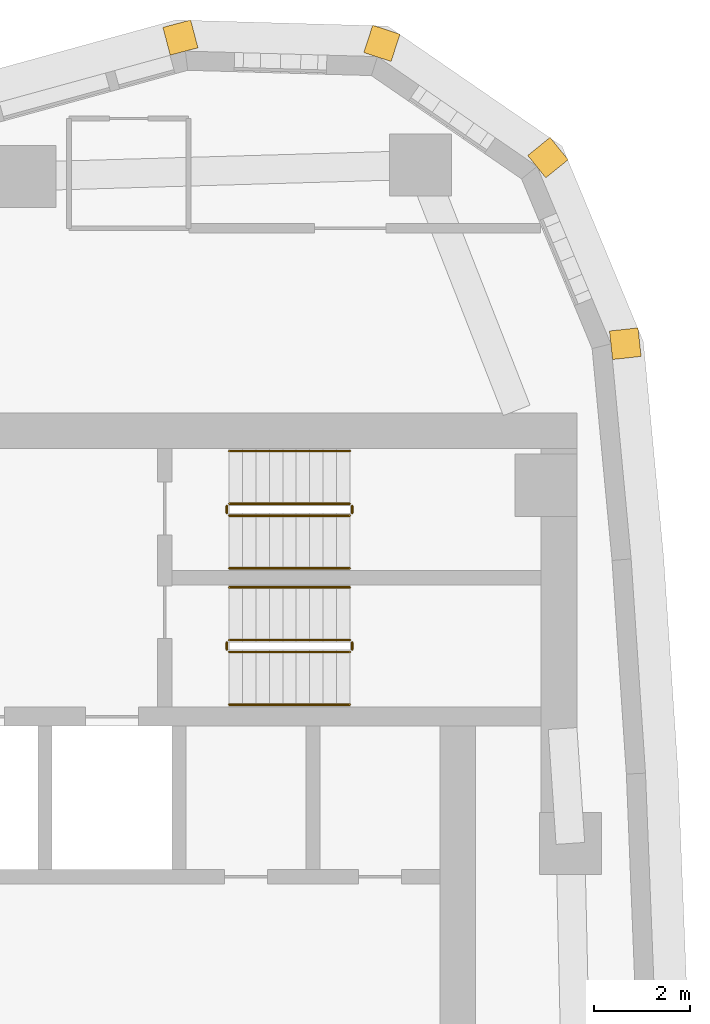
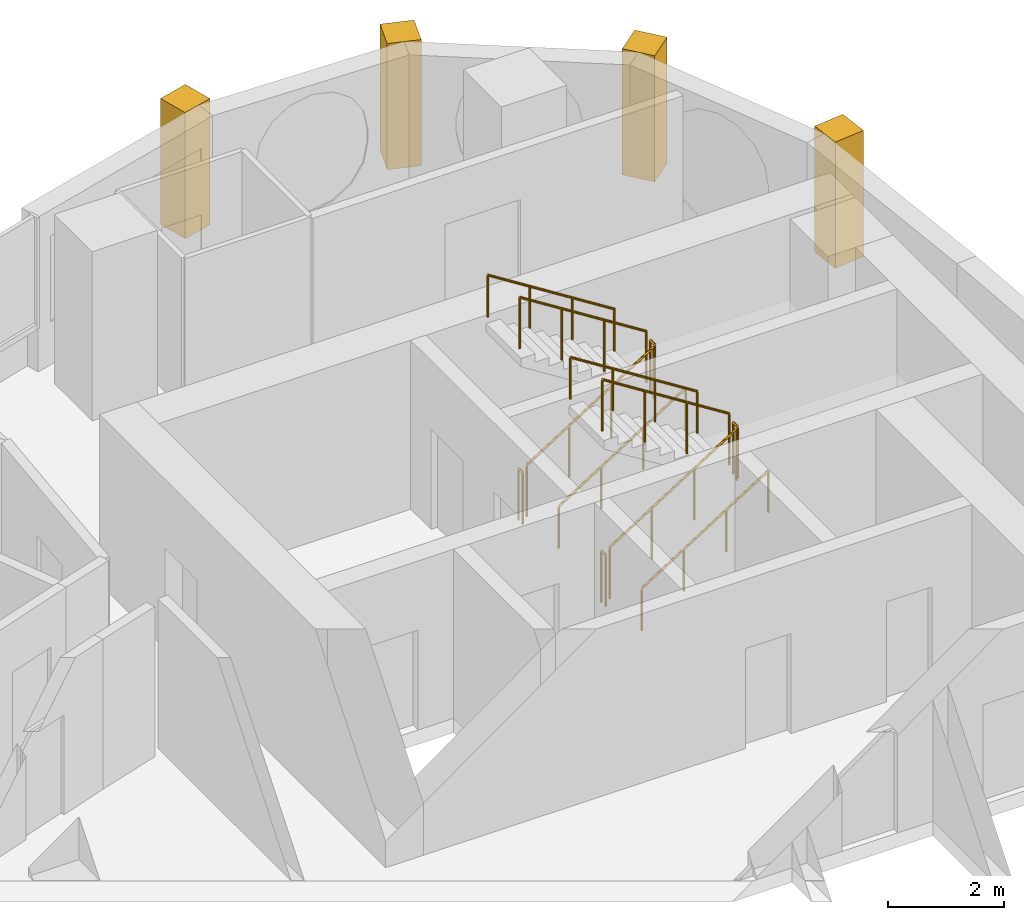
# One storey, part 17 of 17: 12 railings, 4 coverings.
"""IFC4 building model written with IfcOpenShell, lengths in metres."""

import ifcopenshell
import ifcopenshell.guid

model = None  # the IFC model being written
_history = None  # IfcOwnerHistory: only IFC2X3 demands one
_inside = {}  # id of a spatial element -> (the spatial element, [elements in it])
_under = {}  # id of a project, library or spatial element -> (it, [spatial elements below it])
_declared = {}  # id of a project -> (the project, [libraries it declares])
_typed = {}  # id of a type object -> (the type object, [elements of that type])
_made_of = {}  # id of a material, layer set ... -> (it, [elements and type objects made of it])


def new_model(schema):
    """Start an empty IFC model of exactly this schema.

    Asked for "IFC4X3", IfcOpenShell would pick the latest addendum, in which some entities
    have other attributes; the version numbers below select the first issue.
    IFC2X3 requires an IfcOwnerHistory on every rooted entity: one is made here for all.
    """
    global model, _history
    if schema == "IFC4X3":
        model = ifcopenshell.file(schema_version=(4, 3, 0, 0))
    else:
        model = ifcopenshell.file(schema=schema)
    _inside.clear()
    _under.clear()
    _declared.clear()
    _typed.clear()
    _made_of.clear()
    _history = None
    if model.schema == "IFC2X3":
        org = make("IfcOrganization", Name="unknown")
        user = make(
            "IfcPersonAndOrganization",
            ThePerson=make("IfcPerson", FamilyName="unknown"),
            TheOrganization=org,
        )
        app = make(
            "IfcApplication",
            ApplicationDeveloper=org,
            Version="unknown",
            ApplicationFullName="unknown",
            ApplicationIdentifier="unknown",
        )
        _history = make(
            "IfcOwnerHistory",
            OwningUser=user,
            OwningApplication=app,
            ChangeAction="ADDED",
            CreationDate=0,
        )
    return model


def make(cls, **values):
    """One entity of the class cls with the attributes given. An attribute that is None is left unset."""
    return model.create_entity(
        cls, **{name: value for name, value in values.items() if value is not None}
    )


def rooted(cls, **values):
    """An entity with a GlobalId (a new one), such as an element, a storey or a relation."""
    return make(cls, GlobalId=ifcopenshell.guid.new(), OwnerHistory=_history, **values)


def si_unit(unit_type, name, prefix=None):
    """IfcSIUnit, for example si_unit("LENGTHUNIT", "METRE", prefix="MILLI")."""
    return make("IfcSIUnit", UnitType=unit_type, Prefix=prefix, Name=name)


def assignment(units):
    """IfcUnitAssignment: the units of a project."""
    return None if units is None else make("IfcUnitAssignment", Units=units)


def point(xyz):
    """IfcCartesianPoint."""
    return None if xyz is None else make("IfcCartesianPoint", Coordinates=xyz)


def direction(xyz):
    """IfcDirection."""
    return None if xyz is None else make("IfcDirection", DirectionRatios=xyz)


def frame(location, z_axis=None, x_axis=None):
    """IfcAxis2Placement3D, a coordinate frame: its origin and axes. An axis left out is left unset."""
    return make(
        "IfcAxis2Placement3D",
        Location=point(location),
        Axis=direction(z_axis),
        RefDirection=direction(x_axis),
    )


def frame_2d(location, x_axis=None):
    """IfcAxis2Placement2D, a coordinate frame in the plane: its origin and x axis."""
    return make(
        "IfcAxis2Placement2D", Location=point(location), RefDirection=direction(x_axis)
    )


def origin():
    """The frame at (0, 0, 0) with its axes left unset."""
    return frame((0.0, 0.0, 0.0))


def origin_2d():
    """The frame at (0, 0) in the plane with its x axis left unset."""
    return frame_2d((0.0, 0.0))


def place(relative_to, where):
    """IfcLocalPlacement: puts the frame where relative to a parent placement (None: the world)."""
    return make(
        "IfcLocalPlacement", PlacementRelTo=relative_to, RelativePlacement=where
    )


def context(
    kind, dimensions, precision=None, world=None, true_north=None, identifier=None
):
    """IfcGeometricRepresentationContext, for example the 3D "Model" context."""
    return make(
        "IfcGeometricRepresentationContext",
        ContextIdentifier=identifier,
        ContextType=kind,
        CoordinateSpaceDimension=dimensions,
        Precision=precision,
        WorldCoordinateSystem=world,
        TrueNorth=true_north,
    )


def subcontext(parent, identifier, kind, view, scale=None):
    """IfcGeometricRepresentationSubContext, for example "Body" below "Model"."""
    return make(
        "IfcGeometricRepresentationSubContext",
        ContextIdentifier=identifier,
        ContextType=kind,
        ParentContext=parent,
        TargetScale=scale,
        TargetView=view,
    )


def project(units=None, contexts=None):
    """IfcProject with its units and contexts."""
    return rooted(
        "IfcProject",
        Name="project",
        RepresentationContexts=contexts,
        UnitsInContext=assignment(units),
    )


def spatial(cls, under=None, at=None, **own):
    """A site, building, storey or space (cls), placed at a placement, below another one or the project."""
    s = rooted(cls, ObjectPlacement=at, **own)
    if under is not None:
        _under.setdefault(under.id(), (under, []))[1].append(s)
    return s


def profile(cls, at=None, kind="AREA", **sizes):
    """A parametric profile (cls). Its sizes go by their IFC names, for example OverallWidth=200.0."""
    return make(cls, ProfileType=kind, Position=at, **sizes)


def rectangle(**sizes):
    """IfcRectangleProfileDef."""
    return profile("IfcRectangleProfileDef", **sizes)


def circle(**sizes):
    """IfcCircleProfileDef."""
    return profile("IfcCircleProfileDef", **sizes)


def extrude(swept, where, along, depth):
    """IfcExtrudedAreaSolid: the profile swept, set in the frame where, extruded along a direction by depth."""
    return make(
        "IfcExtrudedAreaSolid",
        SweptArea=swept,
        Position=where,
        ExtrudedDirection=direction(along),
        Depth=depth,
    )


def shape(context_of_items, identifier, shape_type, items):
    """IfcShapeRepresentation: the items that make up one representation, for example the "Body"."""
    return make(
        "IfcShapeRepresentation",
        ContextOfItems=context_of_items,
        RepresentationIdentifier=identifier,
        RepresentationType=shape_type,
        Items=items,
    )


def material(Name=None, Category=None):
    """IfcMaterial."""
    return make("IfcMaterial", Name=Name, Category=Category)


def layer(
    of_material, thickness, ventilated=None, Name=None, Category=None, Priority=None
):
    """IfcMaterialLayer: one layer of a wall or slab, of a material (None: an air gap)."""
    return make(
        "IfcMaterialLayer",
        Material=of_material,
        LayerThickness=thickness,
        IsVentilated=ventilated,
        Name=Name,
        Category=Category,
        Priority=Priority,
    )


def layer_set(layers, Name=None):
    """IfcMaterialLayerSet."""
    return make("IfcMaterialLayerSet", MaterialLayers=layers, LayerSetName=Name)


def made_of(thing, what):
    """Note that an element or type object is made of a material, layer set ...; save() writes the relation."""
    if what is not None:
        _made_of.setdefault(what.id(), (what, []))[1].append(thing)
    return thing


def type_object(cls, material=None, **own):
    """A type object (cls), such as IfcWallType, which elements share."""
    return made_of(rooted(cls, **own), material)


def element(
    cls,
    number,
    at=None,
    inside=None,
    cuts=None,
    type_object=None,
    material=None,
    context=None,
    identifier="Body",
    shape_type=None,
    held_by="IfcProductDefinitionShape",
    body=None,
    shapes=None,
    **own,
):
    """One element of the class cls, such as IfcWall. Its Tag is "e" and its number.

    at: its placement. inside: the storey or other place that contains it. cuts: it is an
    opening in that element (IfcRelVoidsElement). A single representation is given by context,
    identifier, shape_type and body (its items); several are given by shapes. held_by: the class
    of the entity that holds the representations. save() writes the other relations.
    """
    e = rooted(cls, Tag="e%d" % number, ObjectPlacement=at, **own)
    if body is not None:
        shapes = [shape(context, identifier, shape_type, body)]
    if shapes is not None:
        e.Representation = make(held_by, Representations=shapes)
    if inside is not None:
        _inside.setdefault(inside.id(), (inside, []))[1].append(e)
    if cuts is not None:
        rooted(
            "IfcRelVoidsElement", RelatingBuildingElement=cuts, RelatedOpeningElement=e
        )
    if type_object is not None:
        _typed.setdefault(type_object.id(), (type_object, []))[1].append(e)
    return made_of(e, material)


def aggregate(whole, parts):
    """IfcRelAggregates: a whole, such as a stair, and the parts it consists of."""
    return rooted("IfcRelAggregates", RelatingObject=whole, RelatedObjects=parts)


def save(model, path):
    """Write the relations noted so far, then the file.

    IfcRelAggregates (storeys below a building ...), IfcRelContainedInSpatialStructure (elements
    in a storey), IfcRelDefinesByType, IfcRelAssociatesMaterial and IfcRelDeclares: one each for
    every whole, place, type object, material and project.
    """
    for whole, parts in _under.values():
        aggregate(whole, parts)
    for where, things in _inside.values():
        rooted(
            "IfcRelContainedInSpatialStructure",
            RelatedElements=things,
            RelatingStructure=where,
        )
    for kind, things in _typed.values():
        rooted("IfcRelDefinesByType", RelatedObjects=things, RelatingType=kind)
    for what, things in _made_of.values():
        rooted("IfcRelAssociatesMaterial", RelatedObjects=things, RelatingMaterial=what)
    for by, libraries in _declared.values():
        rooted("IfcRelDeclares", RelatingContext=by, RelatedDefinitions=libraries)
    model.write(path)


model = new_model("IFC4")

# Units and contexts
model_context = context("Model", 3, precision=1e-05, world=origin(), true_north=direction((0.0, 1.0)))
body_context = subcontext(model_context, "Body", "Model", "MODEL_VIEW")
ifc_project = project(units=[si_unit("LENGTHUNIT", "METRE"), si_unit("AREAUNIT", "SQUARE_METRE"), si_unit("VOLUMEUNIT", "CUBIC_METRE"), si_unit("PLANEANGLEUNIT", "RADIAN"), si_unit("MASSUNIT", "GRAM", prefix="KILO")], contexts=[model_context])

# Site, building, storey
site_placement = place(None, origin())
site = spatial("IfcSite", under=ifc_project, at=site_placement, CompositionType="ELEMENT")
building_placement = place(site_placement, origin())
building = spatial("IfcBuilding", under=site, at=building_placement, Name="Ostrand Prow Hotel Tower", CompositionType="ELEMENT")
storey_placement = place(building_placement, frame((0.0, 0.0, 207.449951171875)))
storey = spatial("IfcBuildingStorey", under=building, at=storey_placement, Name="L52", CompositionType="ELEMENT", Elevation=207.449951171875)

# Coverings
ifc_material_1 = material(Name="Limestone cladding", Category="masonry")
ifc_layer = layer(ifc_material_1, 0.60009765625)
ifc_layer_set = layer_set([ifc_layer], Name="Limestone cladding")
covering_type = type_object("IfcCoveringType", Name="Precast stone prow rib 600x600", PredefinedType="CLADDING", material=ifc_layer_set)
for number, where, z_axis, x_axis, name in (
    (1, (65.18017578125, 17.9111328125, 0.60009765625), (0.0, 0.0, 1.0), (0.994255138911, 0.107036062846, 0.0), "Stone corner rib 13a"),
    (2, (63.6279296875, 21.643798828125, 0.60009765625), (0.0, 0.0, 1.0), (0.776922530767, 0.62959620487, 0.0), "Stone corner rib 14a"),
    (3, (60.297607421875, 23.935302734375, 0.60009765625), (0.0, 0.0, 1.0), (0.310484329644, 0.950578498098, 0.0), "Stone corner rib 15a"),
    (4, (56.256591796875, 24.05126953125, 0.60009765625), (0.0, 0.0, 1.0), (-0.255154261231, 0.966900358349, 0.0), "Stone corner rib 15b"),
):
    element("IfcCovering", number, at=place(storey_placement, frame(where, z_axis=z_axis, x_axis=x_axis)), inside=storey, type_object=covering_type, Name=name, PredefinedType="CLADDING", context=body_context, shape_type="SweptSolid", body=[
        extrude(rectangle(XDim=0.599853515625, YDim=0.60009765625, at=frame_2d((0.2998046875, 0.0))), origin(), (0.0, 0.0, 1.0), 2.64990234375),
    ])

# Railings
ifc_material_2 = material(Name="Painted steel", Category="steel")
railing_type_1 = type_object("IfcRailingType", Name="Stair guard 1100", PredefinedType="GUARDRAIL", material=ifc_material_2)
railing_1_placement = place(storey_placement, frame((57.199951171875, 11.5, 0.177490234375)))
element("IfcRailing", 5, at=railing_1_placement, inside=storey, type_object=railing_type_1, Name="L52 ST1C stair guard 1", PredefinedType="GUARDRAIL", context=body_context, shape_type="SweptSolid", body=[
    extrude(circle(Radius=0.02392578125, at=origin_2d()), frame((0.0, 0.0, 1.076171875), z_axis=(0.84456994832, 0.0, 0.535445237532), x_axis=(0.0, 1.0, 0.0)), (0.0, 0.0, 1.0), 2.98388671875),
    extrude(circle(Radius=0.02099609375, at=origin_2d()), origin(), (0.0, 0.0, 1.0), 1.052001953125),
    extrude(circle(Radius=0.02099609375, at=origin_2d()), frame((0.840087890625, 0.0, 0.532470703125)), (0.0, 0.0, 1.0), 1.052001953125),
    extrude(circle(Radius=0.02099609375, at=origin_2d()), frame((1.679931640625, 0.0, 1.065185546875)), (0.0, 0.0, 1.0), 1.052001953125),
    extrude(circle(Radius=0.02099609375, at=origin_2d()), frame((2.52001953125, 0.0, 1.59765625)), (0.0, 0.0, 1.0), 1.052001953125),
])
railing_2_placement = place(storey_placement, frame((59.77001953125, 11.550048828125, 1.775146484375)))
element("IfcRailing", 6, at=railing_2_placement, inside=storey, type_object=railing_type_1, Name="L52 ST1C stair guard 2", PredefinedType="GUARDRAIL", context=body_context, shape_type="SweptSolid", body=[
    extrude(circle(Radius=0.02392578125, at=origin_2d()), frame((0.0, 0.0, 1.076171875), z_axis=(0.0, 1.0, 0.0), x_axis=(-1.0, 0.0, 0.0)), (0.0, 0.0, 1.0), 0.14990234375),
    extrude(circle(Radius=0.02099609375, at=origin_2d()), origin(), (0.0, 0.0, 1.0), 1.052001953125),
    extrude(circle(Radius=0.02099609375, at=origin_2d()), frame((0.0, 0.14990234375, 0.0)), (0.0, 0.0, 1.0), 1.052001953125),
])
railing_3_placement = place(storey_placement, frame((59.719970703125, 11.75, 1.95263671875)))
element("IfcRailing", 7, at=railing_3_placement, inside=storey, type_object=railing_type_1, Name="L52 ST1C stair guard 3", PredefinedType="GUARDRAIL", context=body_context, shape_type="SweptSolid", body=[
    extrude(circle(Radius=0.02392578125, at=origin_2d()), frame((0.0, 0.0, 1.076171875), z_axis=(-0.84460694969, 0.0, 0.535386869969), x_axis=(0.0, -1.0, 0.0)), (0.0, 0.0, 1.0), 2.983642578125),
    extrude(circle(Radius=0.02099609375, at=origin_2d()), origin(), (0.0, 0.0, 1.0), 1.052001953125),
    extrude(circle(Radius=0.02099609375, at=origin_2d()), frame((-0.840087890625, 0.0, 0.532470703125)), (0.0, 0.0, 1.0), 1.052001953125),
    extrude(circle(Radius=0.02099609375, at=origin_2d()), frame((-1.679931640625, 0.0, 1.06494140625)), (0.0, 0.0, 1.0), 1.052001953125),
    extrude(circle(Radius=0.02099609375, at=origin_2d()), frame((-2.52001953125, 0.0, 1.597412109375)), (0.0, 0.0, 1.0), 1.052001953125),
])
railing_4_placement = place(storey_placement, frame((57.14990234375, 11.550048828125, 0.0)))
element("IfcRailing", 8, at=railing_4_placement, inside=storey, type_object=railing_type_1, Name="L52 ST1C stair guard 4", PredefinedType="GUARDRAIL", context=body_context, shape_type="SweptSolid", body=[
    extrude(circle(Radius=0.02392578125, at=origin_2d()), frame((0.0, 0.0, 1.076171875), z_axis=(0.0, 1.0, 0.0), x_axis=(-1.0, 0.0, 0.0)), (0.0, 0.0, 1.0), 0.14990234375),
    extrude(circle(Radius=0.02099609375, at=origin_2d()), origin(), (0.0, 0.0, 1.0), 1.052001953125),
    extrude(circle(Radius=0.02099609375, at=origin_2d()), frame((0.0, 0.14990234375, 0.0)), (0.0, 0.0, 1.0), 1.052001953125),
])
railing_5_placement = place(storey_placement, frame((57.199951171875, 14.35009765625, 0.177490234375)))
element("IfcRailing", 9, at=railing_5_placement, inside=storey, type_object=railing_type_1, Name="L52 ST3C stair guard 1", PredefinedType="GUARDRAIL", context=body_context, shape_type="SweptSolid", body=[
    extrude(circle(Radius=0.02392578125, at=origin_2d()), frame((0.0, 0.0, 1.076171875), z_axis=(0.84456994832, 0.0, 0.535445237532), x_axis=(0.0, 1.0, 0.0)), (0.0, 0.0, 1.0), 2.98388671875),
    extrude(circle(Radius=0.02099609375, at=origin_2d()), origin(), (0.0, 0.0, 1.0), 1.052001953125),
    extrude(circle(Radius=0.02099609375, at=origin_2d()), frame((0.840087890625, 0.0, 0.532470703125)), (0.0, 0.0, 1.0), 1.052001953125),
    extrude(circle(Radius=0.02099609375, at=origin_2d()), frame((1.679931640625, 0.0, 1.065185546875)), (0.0, 0.0, 1.0), 1.052001953125),
    extrude(circle(Radius=0.02099609375, at=origin_2d()), frame((2.52001953125, 0.0, 1.59765625)), (0.0, 0.0, 1.0), 1.052001953125),
])
railing_6_placement = place(storey_placement, frame((59.77001953125, 14.39990234375, 1.775146484375)))
element("IfcRailing", 10, at=railing_6_placement, inside=storey, type_object=railing_type_1, Name="L52 ST3C stair guard 2", PredefinedType="GUARDRAIL", context=body_context, shape_type="SweptSolid", body=[
    extrude(circle(Radius=0.02392578125, at=origin_2d()), frame((0.0, 0.0, 1.076171875), z_axis=(0.0, 1.0, 0.0), x_axis=(-1.0, 0.0, 0.0)), (0.0, 0.0, 1.0), 0.150146484375),
    extrude(circle(Radius=0.02099609375, at=origin_2d()), origin(), (0.0, 0.0, 1.0), 1.052001953125),
    extrude(circle(Radius=0.02099609375, at=origin_2d()), frame((0.0, 0.150146484375, 0.0)), (0.0, 0.0, 1.0), 1.052001953125),
])
railing_7_placement = place(storey_placement, frame((59.719970703125, 14.60009765625, 1.95263671875)))
element("IfcRailing", 11, at=railing_7_placement, inside=storey, type_object=railing_type_1, Name="L52 ST3C stair guard 3", PredefinedType="GUARDRAIL", context=body_context, shape_type="SweptSolid", body=[
    extrude(circle(Radius=0.02392578125, at=origin_2d()), frame((0.0, 0.0, 1.076171875), z_axis=(-0.84460694969, 0.0, 0.535386869969), x_axis=(0.0, -1.0, 0.0)), (0.0, 0.0, 1.0), 2.983642578125),
    extrude(circle(Radius=0.02099609375, at=origin_2d()), origin(), (0.0, 0.0, 1.0), 1.052001953125),
    extrude(circle(Radius=0.02099609375, at=origin_2d()), frame((-0.840087890625, 0.0, 0.532470703125)), (0.0, 0.0, 1.0), 1.052001953125),
    extrude(circle(Radius=0.02099609375, at=origin_2d()), frame((-1.679931640625, 0.0, 1.06494140625)), (0.0, 0.0, 1.0), 1.052001953125),
    extrude(circle(Radius=0.02099609375, at=origin_2d()), frame((-2.52001953125, 0.0, 1.597412109375)), (0.0, 0.0, 1.0), 1.052001953125),
])
railing_8_placement = place(storey_placement, frame((57.14990234375, 14.39990234375, 0.0)))
element("IfcRailing", 12, at=railing_8_placement, inside=storey, type_object=railing_type_1, Name="L52 ST3C stair guard 4", PredefinedType="GUARDRAIL", context=body_context, shape_type="SweptSolid", body=[
    extrude(circle(Radius=0.02392578125, at=origin_2d()), frame((0.0, 0.0, 1.076171875), z_axis=(0.0, 1.0, 0.0), x_axis=(-1.0, 0.0, 0.0)), (0.0, 0.0, 1.0), 0.150146484375),
    extrude(circle(Radius=0.02099609375, at=origin_2d()), origin(), (0.0, 0.0, 1.0), 1.052001953125),
    extrude(circle(Radius=0.02099609375, at=origin_2d()), frame((0.0, 0.150146484375, 0.0)), (0.0, 0.0, 1.0), 1.052001953125),
])
ifc_material_3 = material(Name="Stainless steel", Category="steel")
railing_type_2 = type_object("IfcRailingType", Name="Stair handrail 900", PredefinedType="HANDRAIL", material=ifc_material_3)
railing_9_placement = place(storey_placement, frame((57.199951171875, 10.39990234375, 0.177490234375)))
element("IfcRailing", 13, at=railing_9_placement, inside=storey, type_object=railing_type_2, Name="L52 ST1C stair handrail 1", PredefinedType="HANDRAIL", context=body_context, shape_type="SweptSolid", body=[
    extrude(circle(Radius=0.02392578125, at=origin_2d()), frame((0.0, 0.0, 0.8759765625), z_axis=(0.84456994832, 0.0, 0.535445237532), x_axis=(0.0, 1.0, 0.0)), (0.0, 0.0, 1.0), 2.98388671875),
    extrude(circle(Radius=0.02099609375, at=origin_2d()), origin(), (0.0, 0.0, 1.0), 0.851806640625),
    extrude(circle(Radius=0.02099609375, at=origin_2d()), frame((0.840087890625, 0.0, 0.532470703125)), (0.0, 0.0, 1.0), 0.851806640625),
    extrude(circle(Radius=0.02099609375, at=origin_2d()), frame((1.679931640625, 0.0, 1.065185546875)), (0.0, 0.0, 1.0), 0.851806640625),
    extrude(circle(Radius=0.02099609375, at=origin_2d()), frame((2.52001953125, 0.0, 1.59765625)), (0.0, 0.0, 1.0), 0.851806640625),
])
railing_10_placement = place(storey_placement, frame((59.719970703125, 12.85009765625, 1.95263671875)))
element("IfcRailing", 14, at=railing_10_placement, inside=storey, type_object=railing_type_2, Name="L52 ST1C stair handrail 2", PredefinedType="HANDRAIL", context=body_context, shape_type="SweptSolid", body=[
    extrude(circle(Radius=0.02392578125, at=origin_2d()), frame((0.0, 0.0, 0.8759765625), z_axis=(-0.84460694969, 0.0, 0.535386869969), x_axis=(0.0, -1.0, 0.0)), (0.0, 0.0, 1.0), 2.983642578125),
    extrude(circle(Radius=0.02099609375, at=origin_2d()), origin(), (0.0, 0.0, 1.0), 0.851806640625),
    extrude(circle(Radius=0.02099609375, at=origin_2d()), frame((-0.840087890625, 0.0, 0.532470703125)), (0.0, 0.0, 1.0), 0.851806640625),
    extrude(circle(Radius=0.02099609375, at=origin_2d()), frame((-1.679931640625, 0.0, 1.06494140625)), (0.0, 0.0, 1.0), 0.851806640625),
    extrude(circle(Radius=0.02099609375, at=origin_2d()), frame((-2.52001953125, 0.0, 1.597412109375)), (0.0, 0.0, 1.0), 0.851806640625),
])
railing_11_placement = place(storey_placement, frame((57.199951171875, 13.25, 0.177490234375)))
element("IfcRailing", 15, at=railing_11_placement, inside=storey, type_object=railing_type_2, Name="L52 ST3C stair handrail 1", PredefinedType="HANDRAIL", context=body_context, shape_type="SweptSolid", body=[
    extrude(circle(Radius=0.02392578125, at=origin_2d()), frame((0.0, 0.0, 0.8759765625), z_axis=(0.84456994832, 0.0, 0.535445237532), x_axis=(0.0, 1.0, 0.0)), (0.0, 0.0, 1.0), 2.98388671875),
    extrude(circle(Radius=0.02099609375, at=origin_2d()), origin(), (0.0, 0.0, 1.0), 0.851806640625),
    extrude(circle(Radius=0.02099609375, at=origin_2d()), frame((0.840087890625, 0.0, 0.532470703125)), (0.0, 0.0, 1.0), 0.851806640625),
    extrude(circle(Radius=0.02099609375, at=origin_2d()), frame((1.679931640625, 0.0, 1.065185546875)), (0.0, 0.0, 1.0), 0.851806640625),
    extrude(circle(Radius=0.02099609375, at=origin_2d()), frame((2.52001953125, 0.0, 1.59765625)), (0.0, 0.0, 1.0), 0.851806640625),
])
railing_12_placement = place(storey_placement, frame((59.719970703125, 15.699951171875, 1.95263671875)))
element("IfcRailing", 16, at=railing_12_placement, inside=storey, type_object=railing_type_2, Name="L52 ST3C stair handrail 2", PredefinedType="HANDRAIL", context=body_context, shape_type="SweptSolid", body=[
    extrude(circle(Radius=0.02392578125, at=origin_2d()), frame((0.0, 0.0, 0.8759765625), z_axis=(-0.84460694969, 0.0, 0.535386869969), x_axis=(0.0, -1.0, 0.0)), (0.0, 0.0, 1.0), 2.983642578125),
    extrude(circle(Radius=0.02099609375, at=origin_2d()), origin(), (0.0, 0.0, 1.0), 0.851806640625),
    extrude(circle(Radius=0.02099609375, at=origin_2d()), frame((-0.840087890625, 0.0, 0.532470703125)), (0.0, 0.0, 1.0), 0.851806640625),
    extrude(circle(Radius=0.02099609375, at=origin_2d()), frame((-1.679931640625, 0.0, 1.06494140625)), (0.0, 0.0, 1.0), 0.851806640625),
    extrude(circle(Radius=0.02099609375, at=origin_2d()), frame((-2.52001953125, 0.0, 1.597412109375)), (0.0, 0.0, 1.0), 0.851806640625),
])

save(model, "model.ifc")
